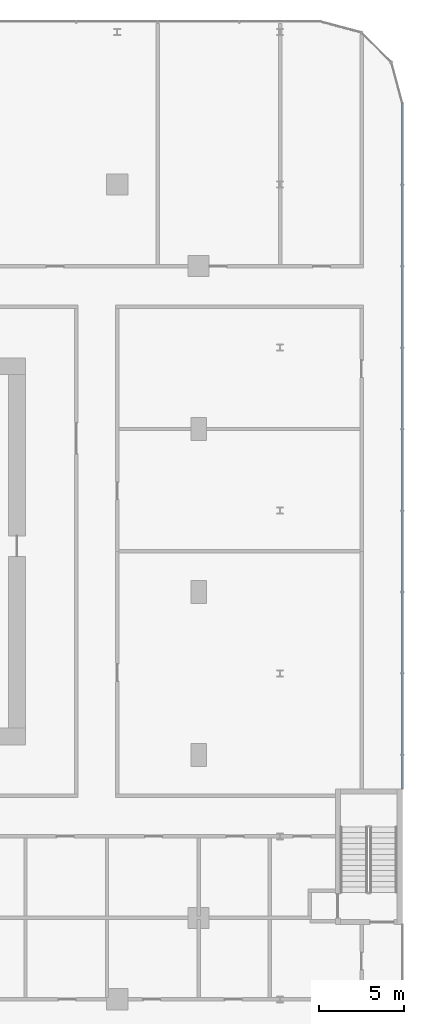
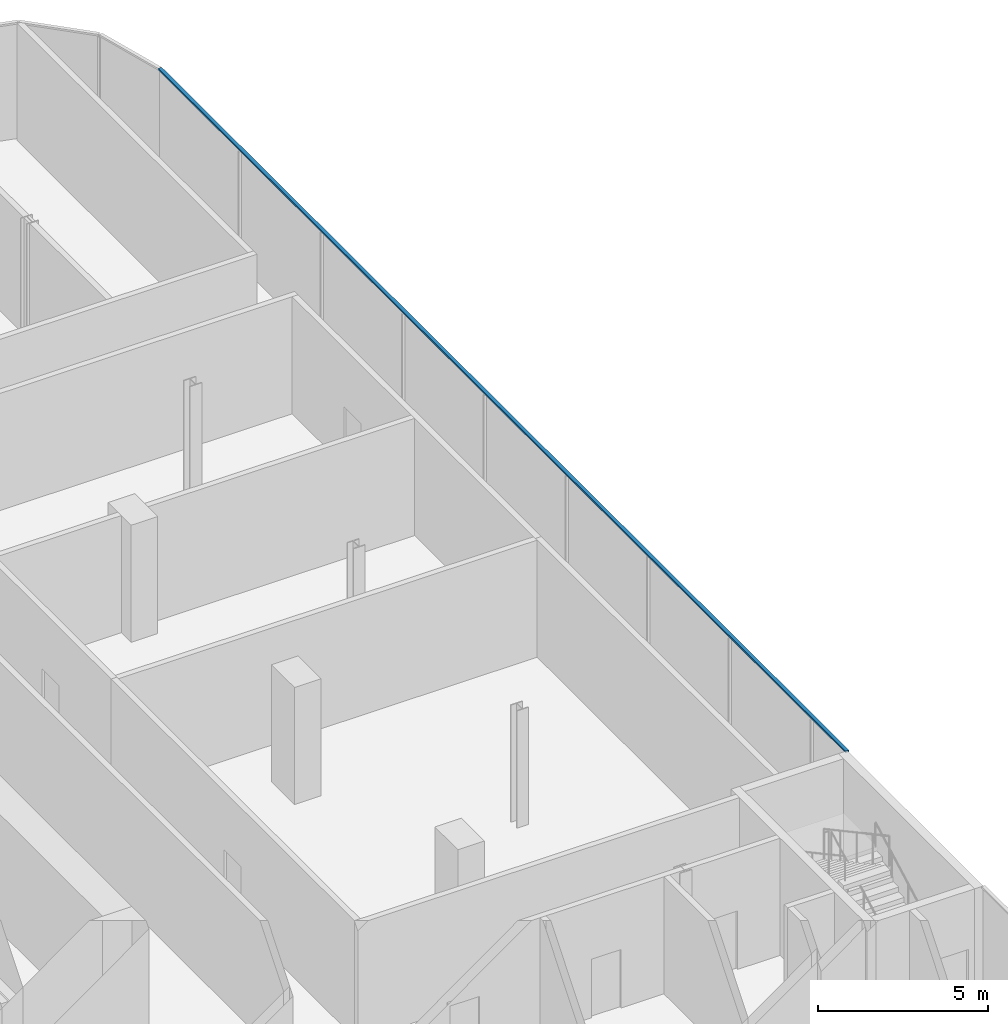
# One storey, part 22 of 45: 1 member, 1 element without a shape of its own.
"""IFC4 building model written with IfcOpenShell, lengths in metres."""

from ifc_helpers import new_model, si_unit, direction, frame, origin, origin_2d, place, context, subcontext, project, spatial, rectangle, extrude, material, layer, layer_set, material_profile, profile_set, type_object, element, aggregate, save


model = new_model("IFC4")

# Units and contexts
model_context = context("Model", 3, precision=1e-05, world=origin(), true_north=direction((0.0, 1.0)))
body_context = subcontext(model_context, "Body", "Model", "MODEL_VIEW")
ifc_project = project(units=[si_unit("LENGTHUNIT", "METRE"), si_unit("AREAUNIT", "SQUARE_METRE"), si_unit("VOLUMEUNIT", "CUBIC_METRE"), si_unit("PLANEANGLEUNIT", "RADIAN"), si_unit("MASSUNIT", "GRAM", prefix="KILO")], contexts=[model_context])

# Site, building, storey
site_placement = place(None, origin())
site = spatial("IfcSite", under=ifc_project, at=site_placement, CompositionType="ELEMENT")
building_placement = place(site_placement, origin())
building = spatial("IfcBuilding", under=site, at=building_placement, Name="Madar Terraces", CompositionType="ELEMENT")
storey_placement = place(building_placement, frame((0.0, 0.0, 6.0)))
storey = spatial("IfcBuildingStorey", under=building, at=storey_placement, Name="L01", CompositionType="ELEMENT", Elevation=6.0)

# Curtain wall, member
ifc_material_1 = material(Name="Glass, clear low-iron, with black aluminium frame", Category="aluminium")
ifc_layer = layer(ifc_material_1, 0.199951171875)
ifc_layer_set = layer_set([ifc_layer], Name="Facade curtain wall, shopfront glazing")
curtain_wall_type = type_object("IfcCurtainWallType", Name="Facade curtain wall, shopfront glazing", PredefinedType="NOTDEFINED", material=ifc_layer_set)
curtain_wall_placement = place(storey_placement, origin())
curtain_wall = element("IfcCurtainWall", 1, at=curtain_wall_placement, inside=storey, type_object=curtain_wall_type, Name="Outer skin curtain wall east bay 1", PredefinedType="NOTDEFINED")
ifc_material_2 = material(Name="Aluminium, black anodised", Category="aluminium")
ifc_material_profile = material_profile(ifc_material_2, rectangle(XDim=0.1201171875, YDim=0.06005859375, at=origin_2d()), Name="Facade transom 60x120")
ifc_profile_set = profile_set([ifc_material_profile], Name="Aluminium, black anodised")
member_type = type_object("IfcMemberType", Name="Facade transom 60x120", PredefinedType="USERDEFINED", material=ifc_profile_set)
member_placement = place(storey_placement, frame((69.60009765625, 12.39990234375, 4.169921875), z_axis=(0.0, 1.0, 0.0), x_axis=(-1.0, 0.0, 0.0)))
member = element("IfcMember", 2, at=member_placement, type_object=member_type, Name="Transom 2", ObjectType="TRANSOM", PredefinedType="USERDEFINED", context=body_context, shape_type="SweptSolid", body=[
    extrude(rectangle(XDim=0.1201171875, YDim=0.06005859375, at=origin_2d()), origin(), (0.0, 0.0, 1.0), 40.400146484375),
])
aggregate(curtain_wall, [member])

save(model, "model.ifc")
